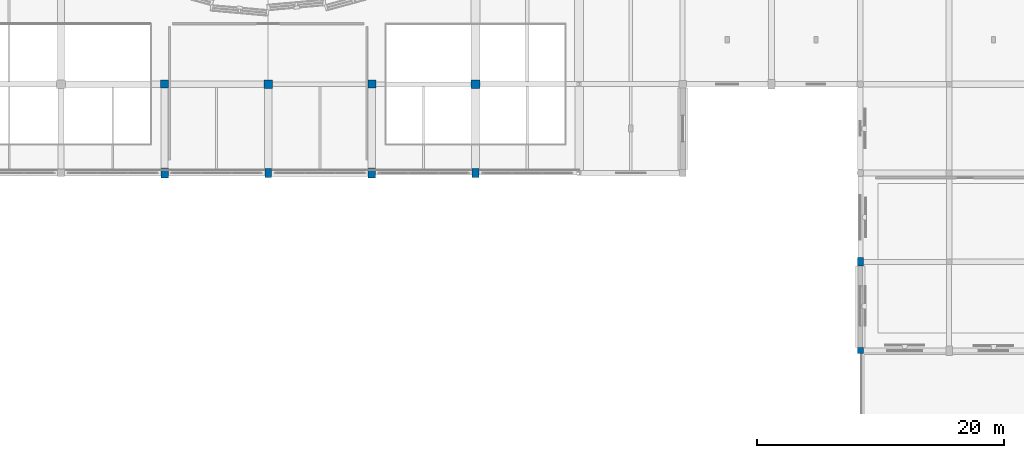
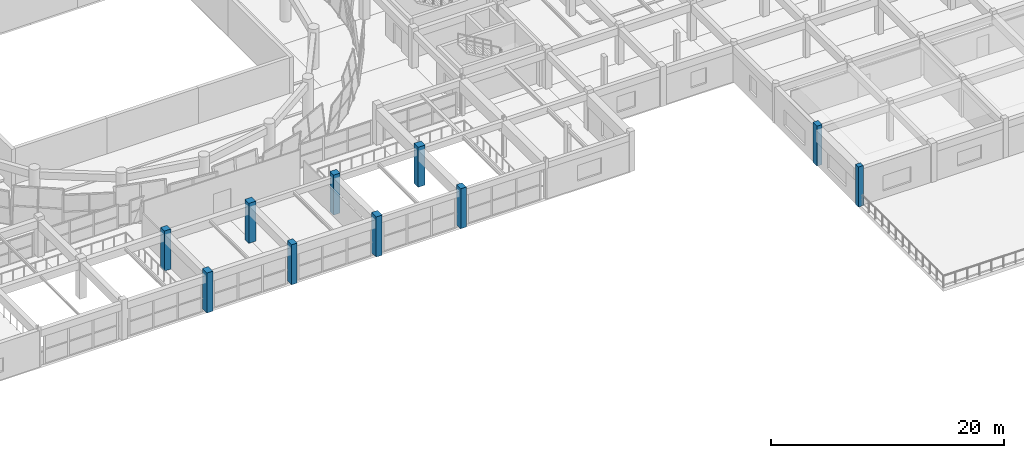
# One storey, part 5 of 71: 10 columns.
"""IFC4 building model written with IfcOpenShell, lengths in metres."""

from ifc_helpers import new_model, si_unit, direction, frame, origin, origin_2d, place, context, subcontext, project, spatial, rectangle, extrude, material, material_profile, profile_set, type_object, element, save


model = new_model("IFC4")

# Units and contexts
model_context = context("Model", 3, precision=1e-05, world=origin(), true_north=direction((0.0, 1.0)))
body_context = subcontext(model_context, "Body", "Model", "MODEL_VIEW")
ifc_project = project(units=[si_unit("LENGTHUNIT", "METRE"), si_unit("AREAUNIT", "SQUARE_METRE"), si_unit("VOLUMEUNIT", "CUBIC_METRE"), si_unit("PLANEANGLEUNIT", "RADIAN"), si_unit("MASSUNIT", "GRAM", prefix="KILO")], contexts=[model_context])

# Site, building, storey
site_placement = place(None, origin())
site = spatial("IfcSite", under=ifc_project, at=site_placement, CompositionType="ELEMENT")
building_placement = place(site_placement, origin())
building = spatial("IfcBuilding", under=site, at=building_placement, Name="Korsvaeld Concert Hall", CompositionType="ELEMENT")
storey_placement = place(building_placement, frame((0.0, 0.0, 4.800048828125)))
storey = spatial("IfcBuildingStorey", under=building, at=storey_placement, Name="L01", CompositionType="ELEMENT", Elevation=4.800048828125)

# Columns
ifc_material = material(Name="Concrete C40/50", Category="concrete")
ifc_material_profile_1 = material_profile(ifc_material, rectangle(XDim=0.5, YDim=0.5, at=origin_2d()), Name="RC 500x500")
ifc_profile_set_1 = profile_set([ifc_material_profile_1], Name="Concrete C40/50")
column_type_1 = type_object("IfcColumnType", Name="COL-RC-500x500", PredefinedType="COLUMN", material=ifc_profile_set_1)
column_1_placement = place(storey_placement, frame((132.0, 14.39990234375, 0.0), z_axis=(0.0, 0.0, 1.0), x_axis=(1.0, 0.0, 0.0)))
element("IfcColumn", 1, at=column_1_placement, inside=storey, type_object=column_type_1, Name="Column 18/C L01", PredefinedType="COLUMN", context=body_context, shape_type="SweptSolid", body=[
    extrude(rectangle(XDim=0.5, YDim=0.5, at=origin_2d()), origin(), (0.0, 0.0, 1.0), 4.199951171875),
])
ifc_material_profile_2 = material_profile(ifc_material, rectangle(XDim=0.5, YDim=0.699951171875, at=origin_2d()), Name="RC 500x700")
ifc_profile_set_2 = profile_set([ifc_material_profile_2], Name="Concrete C40/50")
column_type_2 = type_object("IfcColumnType", Name="COL-RC-500x700", PredefinedType="COLUMN", material=ifc_profile_set_2)
column_2_placement = place(storey_placement, frame((132.0, 21.60009765625, 0.0), z_axis=(0.0, 0.0, 1.0), x_axis=(1.0, 0.0, 0.0)))
element("IfcColumn", 2, at=column_2_placement, inside=storey, type_object=column_type_2, Name="Column 18/D L01", PredefinedType="COLUMN", context=body_context, shape_type="SweptSolid", body=[
    extrude(rectangle(XDim=0.5, YDim=0.699951171875, at=origin_2d()), origin(), (0.0, 0.0, 1.0), 4.199951171875),
])
ifc_material_profile_3 = material_profile(ifc_material, rectangle(XDim=0.550048828125, YDim=0.75, at=origin_2d()), Name="RC 550x750")
ifc_profile_set_3 = profile_set([ifc_material_profile_3], Name="Concrete C40/50")
column_type_3 = type_object("IfcColumnType", Name="COL-RC-550x750", PredefinedType="COLUMN", material=ifc_profile_set_3)
for number, where, z_axis, x_axis, name in (
    (3, (84.0, 28.800048828125, 0.0), (0.0, 0.0, 1.0), (1.0, 0.0, 0.0), "Column 12/E L01"),
    (4, (100.800048828125, 28.800048828125, 0.0), (0.0, 0.0, 1.0), (1.0, 0.0, 0.0), "Column 14/E L01"),
):
    element("IfcColumn", number, at=place(storey_placement, frame(where, z_axis=z_axis, x_axis=x_axis)), inside=storey, type_object=column_type_3, Name=name, PredefinedType="COLUMN", context=body_context, shape_type="SweptSolid", body=[
        extrude(rectangle(XDim=0.550048828125, YDim=0.75, at=origin_2d()), origin(), (0.0, 0.0, 1.0), 4.199951171875),
    ])
ifc_material_profile_4 = material_profile(ifc_material, rectangle(XDim=0.60009765625, YDim=0.800048828125, at=origin_2d()), Name="RC 600x800")
ifc_profile_set_4 = profile_set([ifc_material_profile_4], Name="Concrete C40/50")
column_type_4 = type_object("IfcColumnType", Name="COL-RC-600x800", PredefinedType="COLUMN", material=ifc_profile_set_4)
for number, where, z_axis, x_axis, name in (
    (5, (75.60009765625, 28.800048828125, 0.0), (0.0, 0.0, 1.0), (1.0, 0.0, 0.0), "Column 11/E L01"),
    (6, (92.39990234375, 28.800048828125, 0.0), (0.0, 0.0, 1.0), (1.0, 0.0, 0.0), "Column 13/E L01"),
):
    element("IfcColumn", number, at=place(storey_placement, frame(where, z_axis=z_axis, x_axis=x_axis)), inside=storey, type_object=column_type_4, Name=name, PredefinedType="COLUMN", context=body_context, shape_type="SweptSolid", body=[
        extrude(rectangle(XDim=0.60009765625, YDim=0.800048828125, at=origin_2d()), origin(), (0.0, 0.0, 1.0), 4.199951171875),
    ])
ifc_material_profile_5 = material_profile(ifc_material, rectangle(XDim=0.64990234375, YDim=0.64990234375, at=origin_2d()), Name="RC 650x650")
ifc_profile_set_5 = profile_set([ifc_material_profile_5], Name="Concrete C40/50")
column_type_5 = type_object("IfcColumnType", Name="COL-RC-650x650", PredefinedType="COLUMN", material=ifc_profile_set_5)
for number, where, z_axis, x_axis, name in (
    (7, (75.60009765625, 36.0, 0.0), (0.0, 0.0, 1.0), (1.0, 0.0, 0.0), "Column 11/F L01"),
    (8, (92.39990234375, 36.0, 0.0), (0.0, 0.0, 1.0), (1.0, 0.0, 0.0), "Column 13/F L01"),
):
    element("IfcColumn", number, at=place(storey_placement, frame(where, z_axis=z_axis, x_axis=x_axis)), inside=storey, type_object=column_type_5, Name=name, PredefinedType="COLUMN", context=body_context, shape_type="SweptSolid", body=[
        extrude(rectangle(XDim=0.64990234375, YDim=0.64990234375, at=origin_2d()), origin(), (0.0, 0.0, 1.0), 4.199951171875),
    ])
ifc_material_profile_6 = material_profile(ifc_material, rectangle(XDim=0.699951171875, YDim=0.699951171875, at=origin_2d()), Name="RC 700x700")
ifc_profile_set_6 = profile_set([ifc_material_profile_6], Name="Concrete C40/50")
column_type_6 = type_object("IfcColumnType", Name="COL-RC-700x700", PredefinedType="COLUMN", material=ifc_profile_set_6)
for number, where, z_axis, x_axis, name in (
    (9, (84.0, 36.0, 0.0), (0.0, 0.0, 1.0), (1.0, 0.0, 0.0), "Column 12/F L01"),
    (10, (100.800048828125, 36.0, 0.0), (0.0, 0.0, 1.0), (1.0, 0.0, 0.0), "Column 14/F L01"),
):
    element("IfcColumn", number, at=place(storey_placement, frame(where, z_axis=z_axis, x_axis=x_axis)), inside=storey, type_object=column_type_6, Name=name, PredefinedType="COLUMN", context=body_context, shape_type="SweptSolid", body=[
        extrude(rectangle(XDim=0.699951171875, YDim=0.699951171875, at=origin_2d()), origin(), (0.0, 0.0, 1.0), 4.199951171875),
    ])

save(model, "model.ifc")
